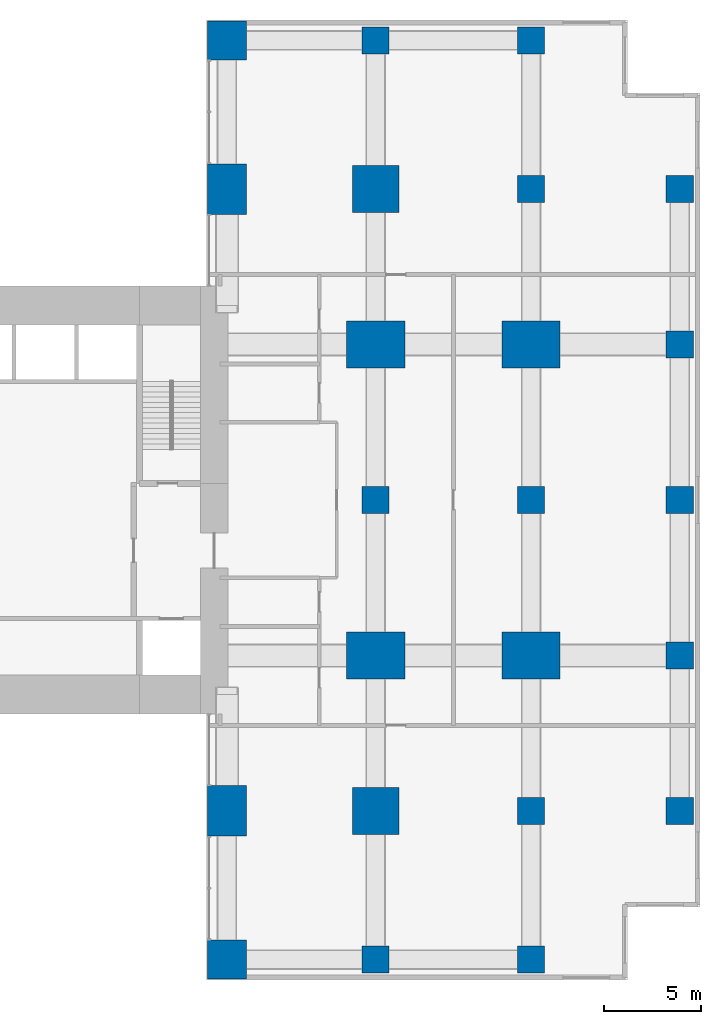
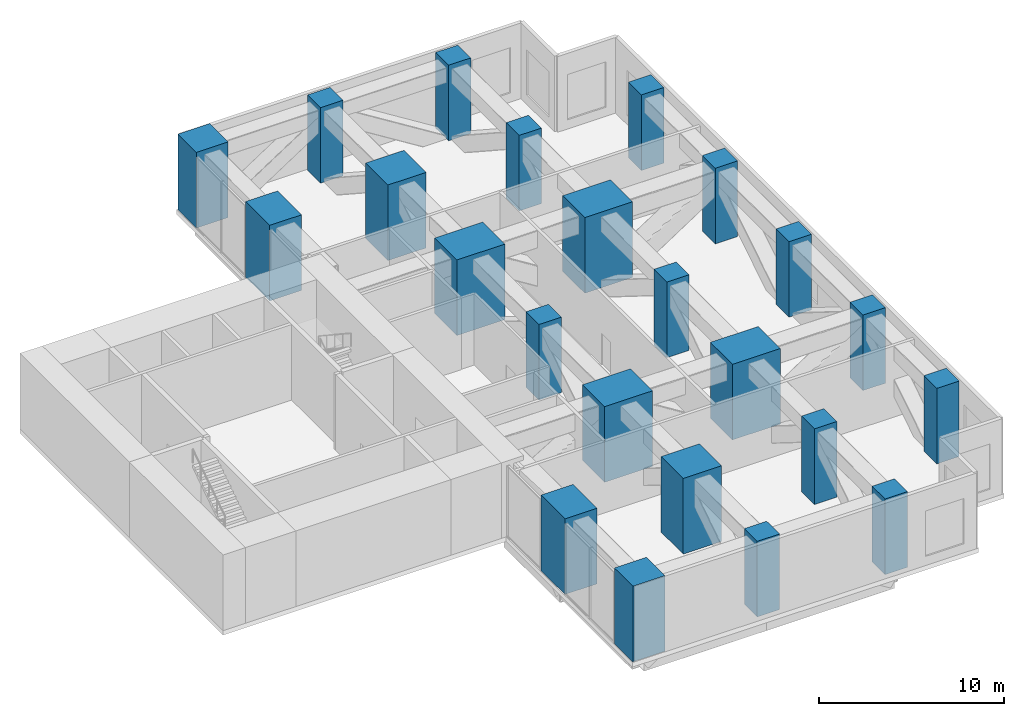
# One storey, part 1 of 7: 23 columns.
"""IFC4 building model written with IfcOpenShell, lengths in metres."""

from ifc_helpers import new_model, si_unit, direction, frame, origin, origin_2d, place, context, subcontext, project, spatial, rectangle, extrude, material, material_profile, profile_set, type_object, element, save


model = new_model("IFC4")

# Units and contexts
model_context = context("Model", 3, precision=1e-05, world=origin(), true_north=direction((0.0, 1.0)))
body_context = subcontext(model_context, "Body", "Model", "MODEL_VIEW")
ifc_project = project(units=[si_unit("LENGTHUNIT", "METRE"), si_unit("AREAUNIT", "SQUARE_METRE"), si_unit("VOLUMEUNIT", "CUBIC_METRE"), si_unit("PLANEANGLEUNIT", "RADIAN"), si_unit("MASSUNIT", "GRAM", prefix="KILO")], contexts=[model_context])

# Site, building, storey
site_placement = place(None, origin())
site = spatial("IfcSite", under=ifc_project, at=site_placement, CompositionType="ELEMENT")
building_placement = place(site_placement, origin())
building = spatial("IfcBuilding", under=site, at=building_placement, Name="Cleftline Residences", CompositionType="ELEMENT")
storey_placement = place(building_placement, frame((0.0, 0.0, 291.60009765625)))
storey = spatial("IfcBuildingStorey", under=building, at=storey_placement, Name="L76", CompositionType="ELEMENT", Elevation=291.60009765625)

# Columns
ifc_material_1 = material(Name="Concrete B70", Category="concrete")
ifc_material_profile_1 = material_profile(ifc_material_1, rectangle(XDim=1.39990234375, YDim=1.39990234375, at=origin_2d()))
ifc_profile_set_1 = profile_set([ifc_material_profile_1], Name="Concrete B70")
column_type_1 = type_object("IfcColumnType", Name="COLUMN RC1400X1400", PredefinedType="COLUMN", material=ifc_profile_set_1)
for number, where, z_axis, x_axis, name in (
    (1, (50.0, 0.35009765625, 0.0), (0.0, 0.0, 1.0), (1.0, 0.0, 0.0), "Column C/9"),
    (2, (50.0, 24.0, 0.0), (0.0, 0.0, 1.0), (1.0, 0.0, 0.0), "Column F/9"),
    (3, (50.0, 47.64990234375, 0.0), (0.0, 0.0, 1.0), (1.0, 0.0, 0.0), "Column J/9"),
    (4, (58.0, 0.35009765625, 0.0), (0.0, 0.0, 1.0), (1.0, 0.0, 0.0), "Column C/10"),
    (5, (58.0, 8.0, 0.0), (0.0, 0.0, 1.0), (1.0, 0.0, 0.0), "Column D/10"),
    (6, (58.0, 24.0, 0.0), (0.0, 0.0, 1.0), (1.0, 0.0, 0.0), "Column F/10"),
    (7, (58.0, 40.0, 0.0), (0.0, 0.0, 1.0), (1.0, 0.0, 0.0), "Column H/10"),
    (8, (58.0, 47.64990234375, 0.0), (0.0, 0.0, 1.0), (1.0, 0.0, 0.0), "Column J/10"),
    (9, (65.64990234375, 8.0, 0.0), (0.0, 0.0, 1.0), (1.0, 0.0, 0.0), "Column D/11"),
    (10, (65.64990234375, 16.0, 0.0), (0.0, 0.0, 1.0), (1.0, 0.0, 0.0), "Column E/11"),
    (11, (65.64990234375, 24.0, 0.0), (0.0, 0.0, 1.0), (1.0, 0.0, 0.0), "Column F/11"),
    (12, (65.64990234375, 32.0, 0.0), (0.0, 0.0, 1.0), (1.0, 0.0, 0.0), "Column G/11"),
    (13, (65.64990234375, 40.0, 0.0), (0.0, 0.0, 1.0), (1.0, 0.0, 0.0), "Column H/11"),
):
    element("IfcColumn", number, at=place(storey_placement, frame(where, z_axis=z_axis, x_axis=x_axis)), inside=storey, type_object=column_type_1, Name=name, PredefinedType="COLUMN", context=body_context, shape_type="SweptSolid", body=[
        extrude(rectangle(XDim=1.39990234375, YDim=1.39990234375, at=origin_2d()), origin(), (0.0, 0.0, 1.0), 5.0),
    ])
ifc_material_2 = material(Name="Concrete B70", Category="concrete")
ifc_material_profile_2 = material_profile(ifc_material_2, rectangle(XDim=2.0, YDim=2.0, at=origin_2d()))
ifc_profile_set_2 = profile_set([ifc_material_profile_2], Name="Concrete B70")
column_type_2 = type_object("IfcColumnType", Name="COLUMN RC2000X2000", PredefinedType="COLUMN", material=ifc_profile_set_2)
for number, where, z_axis, x_axis, name in (
    (14, (42.35009765625, 0.35009765625, 0.0), (0.0, 0.0, 1.0), (1.0, 0.0, 0.0), "Column C/8"),
    (15, (42.35009765625, 47.64990234375, 0.0), (0.0, 0.0, 1.0), (1.0, 0.0, 0.0), "Column J/8"),
):
    element("IfcColumn", number, at=place(storey_placement, frame(where, z_axis=z_axis, x_axis=x_axis)), inside=storey, type_object=column_type_2, Name=name, PredefinedType="COLUMN", context=body_context, shape_type="SweptSolid", body=[
        extrude(rectangle(XDim=2.0, YDim=2.0, at=origin_2d()), origin(), (0.0, 0.0, 1.0), 5.0),
    ])
ifc_material_3 = material(Name="Concrete B70", Category="concrete")
ifc_material_profile_3 = material_profile(ifc_material_3, rectangle(XDim=2.0, YDim=2.60009765625, at=origin_2d()))
ifc_profile_set_3 = profile_set([ifc_material_profile_3], Name="Concrete B70")
column_type_3 = type_object("IfcColumnType", Name="COLUMN RC2000X2600", PredefinedType="COLUMN", material=ifc_profile_set_3)
for number, where, z_axis, x_axis, name in (
    (16, (42.35009765625, 8.0, 0.0), (0.0, 0.0, 1.0), (1.0, 0.0, 0.0), "Column D/8"),
    (17, (42.35009765625, 40.0, 0.0), (0.0, 0.0, 1.0), (1.0, 0.0, 0.0), "Column H/8"),
):
    element("IfcColumn", number, at=place(storey_placement, frame(where, z_axis=z_axis, x_axis=x_axis)), inside=storey, type_object=column_type_3, Name=name, PredefinedType="COLUMN", context=body_context, shape_type="SweptSolid", body=[
        extrude(rectangle(XDim=2.0, YDim=2.60009765625, at=origin_2d()), origin(), (0.0, 0.0, 1.0), 5.0),
    ])
ifc_material_4 = material(Name="Concrete B70", Category="concrete")
ifc_material_profile_4 = material_profile(ifc_material_4, rectangle(XDim=2.39990234375, YDim=2.39990234375, at=origin_2d()))
ifc_profile_set_4 = profile_set([ifc_material_profile_4], Name="Concrete B70")
column_type_4 = type_object("IfcColumnType", Name="COLUMN RC2400X2400", PredefinedType="COLUMN", material=ifc_profile_set_4)
for number, where, z_axis, x_axis, name in (
    (18, (50.0, 8.0, 0.0), (0.0, 0.0, 1.0), (1.0, 0.0, 0.0), "Column D/9"),
    (19, (50.0, 40.0, 0.0), (0.0, 0.0, 1.0), (1.0, 0.0, 0.0), "Column H/9"),
):
    element("IfcColumn", number, at=place(storey_placement, frame(where, z_axis=z_axis, x_axis=x_axis)), inside=storey, type_object=column_type_4, Name=name, PredefinedType="COLUMN", context=body_context, shape_type="SweptSolid", body=[
        extrude(rectangle(XDim=2.39990234375, YDim=2.39990234375, at=origin_2d()), origin(), (0.0, 0.0, 1.0), 5.0),
    ])
ifc_material_5 = material(Name="Concrete B70", Category="concrete")
ifc_material_profile_5 = material_profile(ifc_material_5, rectangle(XDim=3.0, YDim=2.39990234375, at=origin_2d()))
ifc_profile_set_5 = profile_set([ifc_material_profile_5], Name="Concrete B70")
column_type_5 = type_object("IfcColumnType", Name="COLUMN RC3000X2400", PredefinedType="COLUMN", material=ifc_profile_set_5)
for number, where, z_axis, x_axis, name in (
    (20, (50.0, 16.0, 0.0), (0.0, 0.0, 1.0), (1.0, 0.0, 0.0), "Column E/9"),
    (21, (50.0, 32.0, 0.0), (0.0, 0.0, 1.0), (1.0, 0.0, 0.0), "Column G/9"),
    (22, (58.0, 16.0, 0.0), (0.0, 0.0, 1.0), (1.0, 0.0, 0.0), "Column E/10"),
    (23, (58.0, 32.0, 0.0), (0.0, 0.0, 1.0), (1.0, 0.0, 0.0), "Column G/10"),
):
    element("IfcColumn", number, at=place(storey_placement, frame(where, z_axis=z_axis, x_axis=x_axis)), inside=storey, type_object=column_type_5, Name=name, PredefinedType="COLUMN", context=body_context, shape_type="SweptSolid", body=[
        extrude(rectangle(XDim=3.0, YDim=2.39990234375, at=origin_2d()), origin(), (0.0, 0.0, 1.0), 5.0),
    ])

save(model, "model.ifc")
